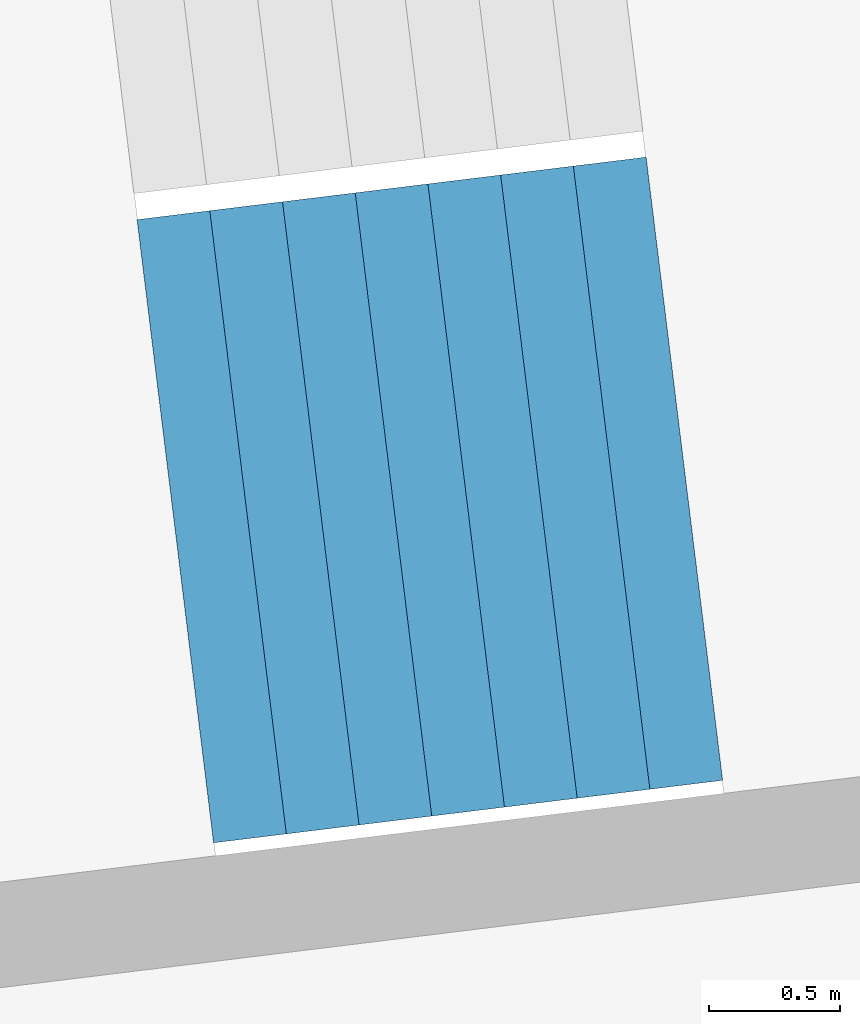
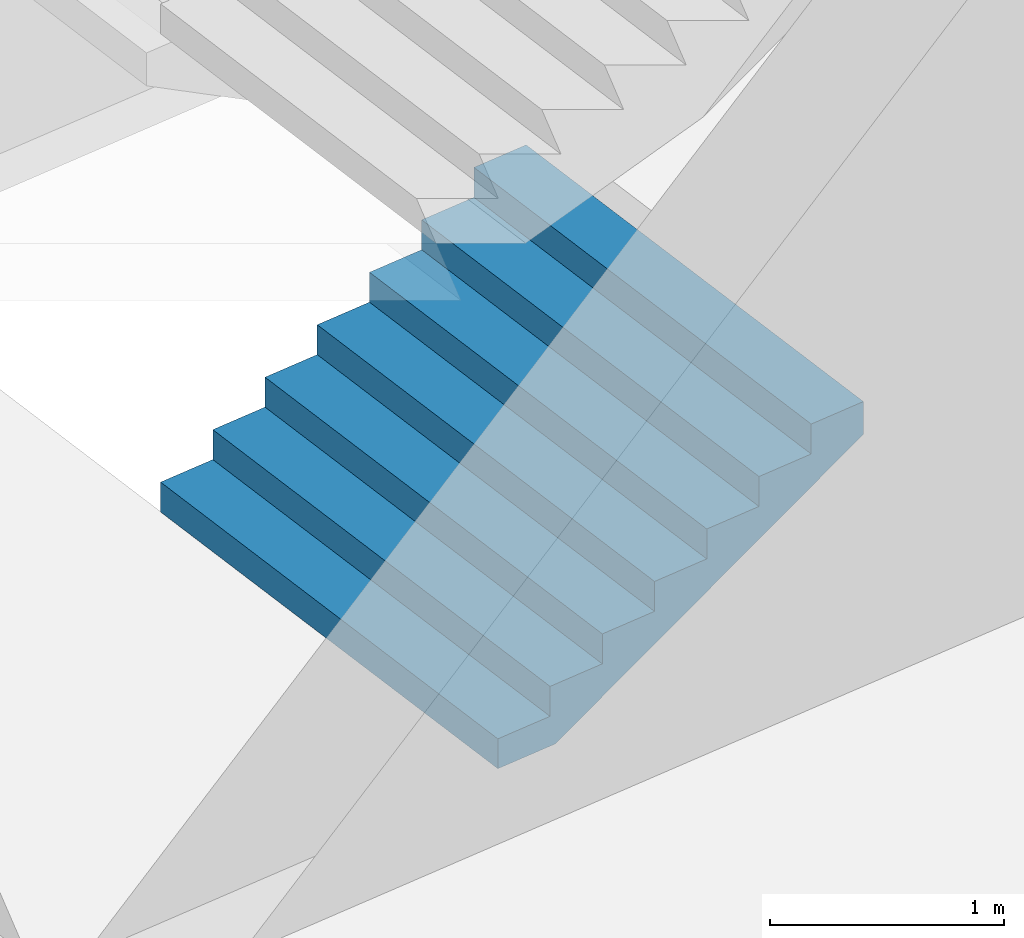
# One storey, part 57 of 73: 1 stair flight, 1 element without a shape of its own.
"""IFC4 building model written with IfcOpenShell, lengths in metres."""

from ifc_helpers import new_model, si_unit, direction, frame, origin, place, context, subcontext, project, spatial, triangles, material, type_object, element, aggregate, save


model = new_model("IFC4")

# Units and contexts
model_context = context("Model", 3, precision=1e-05, world=origin(), true_north=direction((0.0, 1.0)))
body_context = subcontext(model_context, "Body", "Model", "MODEL_VIEW")
ifc_project = project(units=[si_unit("LENGTHUNIT", "METRE"), si_unit("AREAUNIT", "SQUARE_METRE"), si_unit("VOLUMEUNIT", "CUBIC_METRE"), si_unit("PLANEANGLEUNIT", "RADIAN"), si_unit("MASSUNIT", "GRAM", prefix="KILO")], contexts=[model_context])

# Site, building, storey
site_placement = place(None, origin())
site = spatial("IfcSite", under=ifc_project, at=site_placement, CompositionType="ELEMENT")
building_placement = place(site_placement, origin())
building = spatial("IfcBuilding", under=site, at=building_placement, Name="Lantaw Convention Tower", CompositionType="ELEMENT")
storey_placement = place(building_placement, frame((0.0, 0.0, 27.0)))
storey = spatial("IfcBuildingStorey", under=building, at=storey_placement, Name="L04", CompositionType="ELEMENT", Elevation=27.0)

# Stair, stair flight
ifc_material = material(Name="Concrete C35/45", Category="concrete")
stair_type = type_object("IfcStairType", Name="Exit stair 2400 riser 156.25 in 4 flights", PredefinedType="HALF_TURN_STAIR", material=ifc_material)
stair_placement = place(storey_placement, origin())
stair = element("IfcStair", 1, at=stair_placement, inside=storey, type_object=stair_type, Name="Podium exit stair P1 L04", PredefinedType="HALF_TURN_STAIR")
stair_flight_type = type_object("IfcStairFlightType", Name="Stair flight 2400 riser 156.25", PredefinedType="STRAIGHT", material=ifc_material)
stair_flight_placement = place(storey_placement, frame((38.2763671875, 3.4404296875, 0.0), z_axis=(0.0, 0.0, 1.0), x_axis=(0.992546151641, 0.121869343405, 0.0)))
stair_flight = element("IfcStairFlight", 2, at=stair_flight_placement, type_object=stair_flight_type, Name="P1 flight 1", NumberOfRisers=8, NumberOfTreads=7, PredefinedType="STRAIGHT", RiserHeight=0.15625, TreadLength=0.28, context=body_context, shape_type="Tessellation", body=[
    triangles([(0.0, 1.199951171875, 0.0), (0.0, 1.199951171875, 0.15625), (0.28, 1.199951171875, 0.0), (0.28, 1.199951171875, 0.15625), (0.28, 1.199951171875, 0.3125), (0.3076200632058044, 1.199951171875, 0.0), (0.3076200632058044, 1.199951171875, 0.3125), (0.56, 1.199951171875, 0.14083701830033238), (0.56, 1.199951171875, 0.3125), (0.56, 1.199951171875, 0.46875), (0.8400000000000001, 1.199951171875, 0.29708701830033235), (0.8400000000000001, 1.199951171875, 0.46875), (0.8400000000000001, 1.199951171875, 0.625), (1.12, 1.199951171875, 0.45333701830033235), (1.12, 1.199951171875, 0.625), (1.12, 1.199951171875, 0.78125), (1.4000000000000001, 1.199951171875, 0.6095870183003324), (1.4000000000000001, 1.199951171875, 0.78125), (1.4000000000000001, 1.199951171875, 0.9375), (1.6800000000000002, 1.199951171875, 0.7658370183003324), (1.6800000000000002, 1.199951171875, 0.9375), (1.6800000000000002, 1.199951171875, 1.09375), (1.9600000000000002, 1.199951171875, 0.9220870183003324), (1.9600000000000002, 1.199951171875, 1.09375), (0.0, -1.199951171875, 0.0), (0.0, -1.199951171875, 0.15625), (0.28, -1.199951171875, 0.0), (0.28, -1.199951171875, 0.15625), (0.28, -1.199951171875, 0.3125), (0.3076200632058044, -1.199951171875, 0.0), (0.3076200632058044, -1.199951171875, 0.3125), (0.56, -1.199951171875, 0.14083701830033238), (0.56, -1.199951171875, 0.3125), (0.56, -1.199951171875, 0.46875), (0.8400000000000001, -1.199951171875, 0.29708701830033235), (0.8400000000000001, -1.199951171875, 0.46875), (0.8400000000000001, -1.199951171875, 0.625), (1.12, -1.199951171875, 0.45333701830033235), (1.12, -1.199951171875, 0.625), (1.12, -1.199951171875, 0.78125), (1.4000000000000001, -1.199951171875, 0.6095870183003324), (1.4000000000000001, -1.199951171875, 0.78125), (1.4000000000000001, -1.199951171875, 0.9375), (1.6800000000000002, -1.199951171875, 0.7658370183003324), (1.6800000000000002, -1.199951171875, 0.9375), (1.6800000000000002, -1.199951171875, 1.09375), (1.9600000000000002, -1.199951171875, 0.9220870183003324), (1.9600000000000002, -1.199951171875, 1.09375), (0.0, 0.239990234375, 0.15625), (0.0, 0.239990234375, 0.0), (0.0, 0.1919921875, 0.15625), (0.0, 0.1919921875, 0.0), (0.0, 0.143994140625, 0.15625), (0.0, 0.143994140625, 0.0), (0.0, 0.09599609375, 0.15625), (0.0, 0.09599609375, 0.0), (0.0, 0.047998046875, 0.15625), (0.0, 0.047998046875, 0.0), (0.0, 0.0, 0.15625), (0.0, 0.0, 0.0), (0.0, -0.047998046875, 0.15625), (0.0, -0.047998046875, 0.0), (0.0, -0.09599609375, 0.15625), (0.0, -0.09599609375, 0.0), (0.0, -0.143994140625, 0.15625), (0.0, -0.143994140625, 0.0), (0.0, -0.1919921875, 0.15625), (0.0, -0.1919921875, 0.0), (0.0, -0.239990234375, 0.15625), (0.0, -0.239990234375, 0.0), (0.28, 0.239990234375, 0.3125), (0.28, 0.239990234375, 0.15625), (0.28, 0.1919921875, 0.3125), (0.28, 0.1919921875, 0.15625), (0.28, 0.143994140625, 0.3125), (0.28, 0.143994140625, 0.15625), (0.28, 0.09599609375, 0.3125), (0.28, 0.09599609375, 0.15625), (0.28, 0.047998046875, 0.3125), (0.28, 0.047998046875, 0.15625), (0.28, 0.0, 0.3125), (0.28, 0.0, 0.15625), (0.28, -0.047998046875, 0.3125), (0.28, -0.047998046875, 0.15625), (0.28, -0.09599609375, 0.3125), (0.28, -0.09599609375, 0.15625), (0.28, -0.143994140625, 0.3125), (0.28, -0.143994140625, 0.15625), (0.28, -0.1919921875, 0.3125), (0.28, -0.1919921875, 0.15625), (0.28, -0.239990234375, 0.3125), (0.28, -0.239990234375, 0.15625), (0.56, 0.239990234375, 0.46875), (0.56, 0.239990234375, 0.3125), (0.56, 0.1919921875, 0.46875), (0.56, 0.1919921875, 0.3125), (0.56, 0.143994140625, 0.46875), (0.56, 0.143994140625, 0.3125), (0.56, 0.09599609375, 0.46875), (0.56, 0.09599609375, 0.3125), (0.56, 0.047998046875, 0.46875), (0.56, 0.047998046875, 0.3125), (0.56, 0.0, 0.46875), (0.56, 0.0, 0.3125), (0.56, -0.047998046875, 0.46875), (0.56, -0.047998046875, 0.3125), (0.56, -0.09599609375, 0.46875), (0.56, -0.09599609375, 0.3125), (0.56, -0.143994140625, 0.46875), (0.56, -0.143994140625, 0.3125), (0.56, -0.1919921875, 0.46875), (0.56, -0.1919921875, 0.3125), (0.56, -0.239990234375, 0.46875), (0.56, -0.239990234375, 0.3125), (0.8400000000000001, 0.239990234375, 0.625), (0.8400000000000001, 0.239990234375, 0.46875), (0.8400000000000001, 0.1919921875, 0.625), (0.8400000000000001, 0.1919921875, 0.46875), (0.8400000000000001, 0.143994140625, 0.625), (0.8400000000000001, 0.143994140625, 0.46875), (0.8400000000000001, 0.09599609375, 0.625), (0.8400000000000001, 0.09599609375, 0.46875), (0.8400000000000001, 0.047998046875, 0.625), (0.8400000000000001, 0.047998046875, 0.46875), (0.8400000000000001, 0.0, 0.625), (0.8400000000000001, 0.0, 0.46875), (0.8400000000000001, -0.047998046875, 0.625), (0.8400000000000001, -0.047998046875, 0.46875), (0.8400000000000001, -0.09599609375, 0.625), (0.8400000000000001, -0.09599609375, 0.46875), (0.8400000000000001, -0.143994140625, 0.625), (0.8400000000000001, -0.143994140625, 0.46875), (0.8400000000000001, -0.1919921875, 0.625), (0.8400000000000001, -0.1919921875, 0.46875), (0.8400000000000001, -0.239990234375, 0.625), (0.8400000000000001, -0.239990234375, 0.46875), (1.12, 0.239990234375, 0.78125), (1.12, 0.239990234375, 0.625), (1.12, 0.1919921875, 0.78125), (1.12, 0.1919921875, 0.625), (1.12, 0.143994140625, 0.78125), (1.12, 0.143994140625, 0.625), (1.12, 0.09599609375, 0.78125), (1.12, 0.09599609375, 0.625), (1.12, 0.047998046875, 0.78125), (1.12, 0.047998046875, 0.625), (1.12, 0.0, 0.78125), (1.12, 0.0, 0.625), (1.12, -0.047998046875, 0.78125), (1.12, -0.047998046875, 0.625), (1.12, -0.09599609375, 0.78125), (1.12, -0.09599609375, 0.625), (1.12, -0.143994140625, 0.78125), (1.12, -0.143994140625, 0.625), (1.12, -0.1919921875, 0.78125), (1.12, -0.1919921875, 0.625), (1.12, -0.239990234375, 0.78125), (1.12, -0.239990234375, 0.625), (1.4000000000000001, 0.239990234375, 0.9375), (1.4000000000000001, 0.239990234375, 0.78125), (1.4000000000000001, 0.1919921875, 0.9375), (1.4000000000000001, 0.1919921875, 0.78125), (1.4000000000000001, 0.143994140625, 0.9375), (1.4000000000000001, 0.143994140625, 0.78125), (1.4000000000000001, 0.09599609375, 0.9375), (1.4000000000000001, 0.09599609375, 0.78125), (1.4000000000000001, 0.047998046875, 0.9375), (1.4000000000000001, 0.047998046875, 0.78125), (1.4000000000000001, 0.0, 0.9375), (1.4000000000000001, 0.0, 0.78125), (1.4000000000000001, -0.047998046875, 0.9375), (1.4000000000000001, -0.047998046875, 0.78125), (1.4000000000000001, -0.09599609375, 0.9375), (1.4000000000000001, -0.09599609375, 0.78125), (1.4000000000000001, -0.143994140625, 0.9375), (1.4000000000000001, -0.143994140625, 0.78125), (1.4000000000000001, -0.1919921875, 0.9375), (1.4000000000000001, -0.1919921875, 0.78125), (1.4000000000000001, -0.239990234375, 0.9375), (1.4000000000000001, -0.239990234375, 0.78125), (1.6800000000000002, 0.239990234375, 1.09375), (1.6800000000000002, 0.239990234375, 0.9375), (1.6800000000000002, 0.1919921875, 1.09375), (1.6800000000000002, 0.1919921875, 0.9375), (1.6800000000000002, 0.143994140625, 1.09375), (1.6800000000000002, 0.143994140625, 0.9375), (1.6800000000000002, 0.09599609375, 1.09375), (1.6800000000000002, 0.09599609375, 0.9375), (1.6800000000000002, 0.047998046875, 1.09375), (1.6800000000000002, 0.047998046875, 0.9375), (1.6800000000000002, 0.0, 1.09375), (1.6800000000000002, 0.0, 0.9375), (1.6800000000000002, -0.047998046875, 1.09375), (1.6800000000000002, -0.047998046875, 0.9375), (1.6800000000000002, -0.09599609375, 1.09375), (1.6800000000000002, -0.09599609375, 0.9375), (1.6800000000000002, -0.143994140625, 1.09375), (1.6800000000000002, -0.143994140625, 0.9375), (1.6800000000000002, -0.1919921875, 1.09375), (1.6800000000000002, -0.1919921875, 0.9375), (1.6800000000000002, -0.239990234375, 1.09375), (1.6800000000000002, -0.239990234375, 0.9375), (0.3076200632058044, 0.239990234375, 0.3125), (0.3076200632058044, 0.1919921875, 0.3125), (0.3076200632058044, 0.143994140625, 0.3125), (0.3076200632058044, 0.09599609375, 0.3125), (0.3076200632058044, 0.047998046875, 0.3125), (0.3076200632058044, 0.0, 0.3125), (0.3076200632058044, -0.047998046875, 0.3125), (0.3076200632058044, -0.09599609375, 0.3125), (0.3076200632058044, -0.143994140625, 0.3125), (0.3076200632058044, -0.1919921875, 0.3125), (0.3076200632058044, -0.239990234375, 0.3125), (1.9600000000000002, 0.239990234375, 1.09375), (1.9600000000000002, 0.1919921875, 1.09375), (1.9600000000000002, 0.143994140625, 1.09375), (1.9600000000000002, 0.09599609375, 1.09375), (1.9600000000000002, 0.047998046875, 1.09375), (1.9600000000000002, 0.0, 1.09375), (1.9600000000000002, -0.047998046875, 1.09375), (1.9600000000000002, -0.09599609375, 1.09375), (1.9600000000000002, -0.143994140625, 1.09375), (1.9600000000000002, -0.1919921875, 1.09375), (1.9600000000000002, -0.239990234375, 1.09375), (1.9600000000000002, 0.239990234375, 0.9220870183003324), (1.9600000000000002, 0.1919921875, 0.9220870183003324), (1.9600000000000002, 0.143994140625, 0.9220870183003324), (1.9600000000000002, 0.09599609375, 0.9220870183003324), (1.9600000000000002, 0.047998046875, 0.9220870183003324), (1.9600000000000002, 0.0, 0.9220870183003324), (1.9600000000000002, -0.047998046875, 0.9220870183003324), (1.9600000000000002, -0.09599609375, 0.9220870183003324), (1.9600000000000002, -0.143994140625, 0.9220870183003324), (1.9600000000000002, -0.1919921875, 0.9220870183003324), (1.9600000000000002, -0.239990234375, 0.9220870183003324), (1.6800000000000002, 0.239990234375, 0.7658370183003324), (1.6800000000000002, 0.1919921875, 0.7658370183003324), (1.6800000000000002, 0.143994140625, 0.7658370183003324), (1.6800000000000002, 0.09599609375, 0.7658370183003324), (1.6800000000000002, 0.047998046875, 0.7658370183003324), (1.6800000000000002, 0.0, 0.7658370183003324), (1.6800000000000002, -0.047998046875, 0.7658370183003324), (1.6800000000000002, -0.09599609375, 0.7658370183003324), (1.6800000000000002, -0.143994140625, 0.7658370183003324), (1.6800000000000002, -0.1919921875, 0.7658370183003324), (1.6800000000000002, -0.239990234375, 0.7658370183003324), (1.4000000000000001, 0.239990234375, 0.6095870183003324), (1.4000000000000001, 0.1919921875, 0.6095870183003324), (1.4000000000000001, 0.143994140625, 0.6095870183003324), (1.4000000000000001, 0.09599609375, 0.6095870183003324), (1.4000000000000001, 0.047998046875, 0.6095870183003324), (1.4000000000000001, 0.0, 0.6095870183003324), (1.4000000000000001, -0.047998046875, 0.6095870183003324), (1.4000000000000001, -0.09599609375, 0.6095870183003324), (1.4000000000000001, -0.143994140625, 0.6095870183003324), (1.4000000000000001, -0.1919921875, 0.6095870183003324), (1.4000000000000001, -0.239990234375, 0.6095870183003324), (1.12, 0.239990234375, 0.45333701830033235), (1.12, 0.1919921875, 0.45333701830033235), (1.12, 0.143994140625, 0.45333701830033235), (1.12, 0.09599609375, 0.45333701830033235), (1.12, 0.047998046875, 0.45333701830033235), (1.12, 0.0, 0.45333701830033235), (1.12, -0.047998046875, 0.45333701830033235), (1.12, -0.09599609375, 0.45333701830033235), (1.12, -0.143994140625, 0.45333701830033235), (1.12, -0.1919921875, 0.45333701830033235), (1.12, -0.239990234375, 0.45333701830033235), (0.8400000000000001, 0.239990234375, 0.29708701830033235), (0.8400000000000001, 0.1919921875, 0.29708701830033235), (0.8400000000000001, 0.143994140625, 0.29708701830033235), (0.8400000000000001, 0.09599609375, 0.29708701830033235), (0.8400000000000001, 0.047998046875, 0.29708701830033235), (0.8400000000000001, 0.0, 0.29708701830033235), (0.8400000000000001, -0.047998046875, 0.29708701830033235), (0.8400000000000001, -0.09599609375, 0.29708701830033235), (0.8400000000000001, -0.143994140625, 0.29708701830033235), (0.8400000000000001, -0.1919921875, 0.29708701830033235), (0.8400000000000001, -0.239990234375, 0.29708701830033235), (0.56, 0.239990234375, 0.14083701830033238), (0.56, 0.1919921875, 0.14083701830033238), (0.56, 0.143994140625, 0.14083701830033238), (0.56, 0.09599609375, 0.14083701830033238), (0.56, 0.047998046875, 0.14083701830033238), (0.56, 0.0, 0.14083701830033238), (0.56, -0.047998046875, 0.14083701830033238), (0.56, -0.09599609375, 0.14083701830033238), (0.56, -0.143994140625, 0.14083701830033238), (0.56, -0.1919921875, 0.14083701830033238), (0.56, -0.239990234375, 0.14083701830033238), (0.3076200632058044, 0.239990234375, 0.0), (0.3076200632058044, 0.1919921875, 0.0), (0.3076200632058044, 0.143994140625, 0.0), (0.3076200632058044, 0.09599609375, 0.0), (0.3076200632058044, 0.047998046875, 0.0), (0.3076200632058044, 0.0, 0.0), (0.3076200632058044, -0.047998046875, 0.0), (0.3076200632058044, -0.09599609375, 0.0), (0.3076200632058044, -0.143994140625, 0.0), (0.3076200632058044, -0.1919921875, 0.0), (0.3076200632058044, -0.239990234375, 0.0), (0.28, 0.239990234375, 0.0), (0.28, 0.1919921875, 0.0), (0.28, 0.143994140625, 0.0), (0.28, 0.09599609375, 0.0), (0.28, 0.047998046875, 0.0), (0.28, 0.0, 0.0), (0.28, -0.047998046875, 0.0), (0.28, -0.09599609375, 0.0), (0.28, -0.143994140625, 0.0), (0.28, -0.1919921875, 0.0), (0.28, -0.239990234375, 0.0)], [[1, 4, 3], [1, 2, 4], [3, 4, 6], [4, 7, 6], [4, 5, 7], [6, 9, 8], [6, 7, 9], [8, 9, 11], [9, 12, 11], [9, 10, 12], [11, 12, 14], [12, 15, 14], [12, 13, 15], [14, 15, 17], [15, 18, 17], [15, 16, 18], [17, 18, 20], [18, 21, 20], [18, 19, 21], [20, 21, 23], [21, 24, 23], [21, 22, 24], [25, 27, 28], [25, 28, 26], [27, 30, 28], [28, 30, 31], [28, 31, 29], [30, 32, 33], [30, 33, 31], [32, 35, 33], [33, 35, 36], [33, 36, 34], [35, 38, 36], [36, 38, 39], [36, 39, 37], [38, 41, 39], [39, 41, 42], [39, 42, 40], [41, 44, 42], [42, 44, 45], [42, 45, 43], [44, 47, 45], [45, 47, 48], [45, 48, 46], [1, 49, 2], [1, 50, 49], [50, 51, 49], [50, 52, 51], [52, 53, 51], [52, 54, 53], [54, 55, 53], [54, 56, 55], [56, 57, 55], [56, 58, 57], [58, 59, 57], [58, 60, 59], [60, 61, 59], [60, 62, 61], [62, 63, 61], [62, 64, 63], [64, 65, 63], [64, 66, 65], [66, 67, 65], [66, 68, 67], [68, 69, 67], [68, 70, 69], [70, 26, 69], [70, 25, 26], [4, 71, 5], [4, 72, 71], [72, 73, 71], [72, 74, 73], [74, 75, 73], [74, 76, 75], [76, 77, 75], [76, 78, 77], [78, 79, 77], [78, 80, 79], [80, 81, 79], [80, 82, 81], [82, 83, 81], [82, 84, 83], [84, 85, 83], [84, 86, 85], [86, 87, 85], [86, 88, 87], [88, 89, 87], [88, 90, 89], [90, 91, 89], [90, 92, 91], [92, 29, 91], [92, 28, 29], [9, 93, 10], [9, 94, 93], [94, 95, 93], [94, 96, 95], [96, 97, 95], [96, 98, 97], [98, 99, 97], [98, 100, 99], [100, 101, 99], [100, 102, 101], [102, 103, 101], [102, 104, 103], [104, 105, 103], [104, 106, 105], [106, 107, 105], [106, 108, 107], [108, 109, 107], [108, 110, 109], [110, 111, 109], [110, 112, 111], [112, 113, 111], [112, 114, 113], [114, 34, 113], [114, 33, 34], [12, 115, 13], [12, 116, 115], [116, 117, 115], [116, 118, 117], [118, 119, 117], [118, 120, 119], [120, 121, 119], [120, 122, 121], [122, 123, 121], [122, 124, 123], [124, 125, 123], [124, 126, 125], [126, 127, 125], [126, 128, 127], [128, 129, 127], [128, 130, 129], [130, 131, 129], [130, 132, 131], [132, 133, 131], [132, 134, 133], [134, 135, 133], [134, 136, 135], [136, 37, 135], [136, 36, 37], [15, 137, 16], [15, 138, 137], [138, 139, 137], [138, 140, 139], [140, 141, 139], [140, 142, 141], [142, 143, 141], [142, 144, 143], [144, 145, 143], [144, 146, 145], [146, 147, 145], [146, 148, 147], [148, 149, 147], [148, 150, 149], [150, 151, 149], [150, 152, 151], [152, 153, 151], [152, 154, 153], [154, 155, 153], [154, 156, 155], [156, 157, 155], [156, 158, 157], [158, 40, 157], [158, 39, 40], [18, 159, 19], [18, 160, 159], [160, 161, 159], [160, 162, 161], [162, 163, 161], [162, 164, 163], [164, 165, 163], [164, 166, 165], [166, 167, 165], [166, 168, 167], [168, 169, 167], [168, 170, 169], [170, 171, 169], [170, 172, 171], [172, 173, 171], [172, 174, 173], [174, 175, 173], [174, 176, 175], [176, 177, 175], [176, 178, 177], [178, 179, 177], [178, 180, 179], [180, 43, 179], [180, 42, 43], [21, 181, 22], [21, 182, 181], [182, 183, 181], [182, 184, 183], [184, 185, 183], [184, 186, 185], [186, 187, 185], [186, 188, 187], [188, 189, 187], [188, 190, 189], [190, 191, 189], [190, 192, 191], [192, 193, 191], [192, 194, 193], [194, 195, 193], [194, 196, 195], [196, 197, 195], [196, 198, 197], [198, 199, 197], [198, 200, 199], [200, 201, 199], [200, 202, 201], [202, 46, 201], [202, 45, 46], [2, 72, 4], [2, 49, 72], [49, 74, 72], [49, 51, 74], [51, 76, 74], [51, 53, 76], [53, 78, 76], [53, 55, 78], [55, 80, 78], [55, 57, 80], [57, 82, 80], [57, 59, 82], [59, 84, 82], [59, 61, 84], [61, 86, 84], [61, 63, 86], [63, 88, 86], [63, 65, 88], [65, 90, 88], [65, 67, 90], [67, 92, 90], [67, 69, 92], [69, 28, 92], [69, 26, 28], [5, 203, 7], [5, 71, 203], [71, 204, 203], [71, 73, 204], [73, 205, 204], [73, 75, 205], [75, 206, 205], [75, 77, 206], [77, 207, 206], [77, 79, 207], [79, 208, 207], [79, 81, 208], [81, 209, 208], [81, 83, 209], [83, 210, 209], [83, 85, 210], [85, 211, 210], [85, 87, 211], [87, 212, 211], [87, 89, 212], [89, 213, 212], [89, 91, 213], [91, 31, 213], [91, 29, 31], [7, 94, 9], [7, 203, 94], [203, 96, 94], [203, 204, 96], [204, 98, 96], [204, 205, 98], [205, 100, 98], [205, 206, 100], [206, 102, 100], [206, 207, 102], [207, 104, 102], [207, 208, 104], [208, 106, 104], [208, 209, 106], [209, 108, 106], [209, 210, 108], [210, 110, 108], [210, 211, 110], [211, 112, 110], [211, 212, 112], [212, 114, 112], [212, 213, 114], [213, 33, 114], [213, 31, 33], [10, 116, 12], [10, 93, 116], [93, 118, 116], [93, 95, 118], [95, 120, 118], [95, 97, 120], [97, 122, 120], [97, 99, 122], [99, 124, 122], [99, 101, 124], [101, 126, 124], [101, 103, 126], [103, 128, 126], [103, 105, 128], [105, 130, 128], [105, 107, 130], [107, 132, 130], [107, 109, 132], [109, 134, 132], [109, 111, 134], [111, 136, 134], [111, 113, 136], [113, 36, 136], [113, 34, 36], [13, 138, 15], [13, 115, 138], [115, 140, 138], [115, 117, 140], [117, 142, 140], [117, 119, 142], [119, 144, 142], [119, 121, 144], [121, 146, 144], [121, 123, 146], [123, 148, 146], [123, 125, 148], [125, 150, 148], [125, 127, 150], [127, 152, 150], [127, 129, 152], [129, 154, 152], [129, 131, 154], [131, 156, 154], [131, 133, 156], [133, 158, 156], [133, 135, 158], [135, 39, 158], [135, 37, 39], [16, 160, 18], [16, 137, 160], [137, 162, 160], [137, 139, 162], [139, 164, 162], [139, 141, 164], [141, 166, 164], [141, 143, 166], [143, 168, 166], [143, 145, 168], [145, 170, 168], [145, 147, 170], [147, 172, 170], [147, 149, 172], [149, 174, 172], [149, 151, 174], [151, 176, 174], [151, 153, 176], [153, 178, 176], [153, 155, 178], [155, 180, 178], [155, 157, 180], [157, 42, 180], [157, 40, 42], [19, 182, 21], [19, 159, 182], [159, 184, 182], [159, 161, 184], [161, 186, 184], [161, 163, 186], [163, 188, 186], [163, 165, 188], [165, 190, 188], [165, 167, 190], [167, 192, 190], [167, 169, 192], [169, 194, 192], [169, 171, 194], [171, 196, 194], [171, 173, 196], [173, 198, 196], [173, 175, 198], [175, 200, 198], [175, 177, 200], [177, 202, 200], [177, 179, 202], [179, 45, 202], [179, 43, 45], [22, 214, 24], [22, 181, 214], [181, 215, 214], [181, 183, 215], [183, 216, 215], [183, 185, 216], [185, 217, 216], [185, 187, 217], [187, 218, 217], [187, 189, 218], [189, 219, 218], [189, 191, 219], [191, 220, 219], [191, 193, 220], [193, 221, 220], [193, 195, 221], [195, 222, 221], [195, 197, 222], [197, 223, 222], [197, 199, 223], [199, 224, 223], [199, 201, 224], [201, 48, 224], [201, 46, 48], [24, 225, 23], [24, 214, 225], [214, 226, 225], [214, 215, 226], [215, 227, 226], [215, 216, 227], [216, 228, 227], [216, 217, 228], [217, 229, 228], [217, 218, 229], [218, 230, 229], [218, 219, 230], [219, 231, 230], [219, 220, 231], [220, 232, 231], [220, 221, 232], [221, 233, 232], [221, 222, 233], [222, 234, 233], [222, 223, 234], [223, 235, 234], [223, 224, 235], [224, 47, 235], [224, 48, 47], [23, 236, 20], [23, 225, 236], [225, 237, 236], [225, 226, 237], [226, 238, 237], [226, 227, 238], [227, 239, 238], [227, 228, 239], [228, 240, 239], [228, 229, 240], [229, 241, 240], [229, 230, 241], [230, 242, 241], [230, 231, 242], [231, 243, 242], [231, 232, 243], [232, 244, 243], [232, 233, 244], [233, 245, 244], [233, 234, 245], [234, 246, 245], [234, 235, 246], [235, 44, 246], [235, 47, 44], [20, 247, 17], [20, 236, 247], [236, 248, 247], [236, 237, 248], [237, 249, 248], [237, 238, 249], [238, 250, 249], [238, 239, 250], [239, 251, 250], [239, 240, 251], [240, 252, 251], [240, 241, 252], [241, 253, 252], [241, 242, 253], [242, 254, 253], [242, 243, 254], [243, 255, 254], [243, 244, 255], [244, 256, 255], [244, 245, 256], [245, 257, 256], [245, 246, 257], [246, 41, 257], [246, 44, 41], [17, 258, 14], [17, 247, 258], [247, 259, 258], [247, 248, 259], [248, 260, 259], [248, 249, 260], [249, 261, 260], [249, 250, 261], [250, 262, 261], [250, 251, 262], [251, 263, 262], [251, 252, 263], [252, 264, 263], [252, 253, 264], [253, 265, 264], [253, 254, 265], [254, 266, 265], [254, 255, 266], [255, 267, 266], [255, 256, 267], [256, 268, 267], [256, 257, 268], [257, 38, 268], [257, 41, 38], [14, 269, 11], [14, 258, 269], [258, 270, 269], [258, 259, 270], [259, 271, 270], [259, 260, 271], [260, 272, 271], [260, 261, 272], [261, 273, 272], [261, 262, 273], [262, 274, 273], [262, 263, 274], [263, 275, 274], [263, 264, 275], [264, 276, 275], [264, 265, 276], [265, 277, 276], [265, 266, 277], [266, 278, 277], [266, 267, 278], [267, 279, 278], [267, 268, 279], [268, 35, 279], [268, 38, 35], [11, 280, 8], [11, 269, 280], [269, 281, 280], [269, 270, 281], [270, 282, 281], [270, 271, 282], [271, 283, 282], [271, 272, 283], [272, 284, 283], [272, 273, 284], [273, 285, 284], [273, 274, 285], [274, 286, 285], [274, 275, 286], [275, 287, 286], [275, 276, 287], [276, 288, 287], [276, 277, 288], [277, 289, 288], [277, 278, 289], [278, 290, 289], [278, 279, 290], [279, 32, 290], [279, 35, 32], [8, 291, 6], [8, 280, 291], [280, 292, 291], [280, 281, 292], [281, 293, 292], [281, 282, 293], [282, 294, 293], [282, 283, 294], [283, 295, 294], [283, 284, 295], [284, 296, 295], [284, 285, 296], [285, 297, 296], [285, 286, 297], [286, 298, 297], [286, 287, 298], [287, 299, 298], [287, 288, 299], [288, 300, 299], [288, 289, 300], [289, 301, 300], [289, 290, 301], [290, 30, 301], [290, 32, 30], [6, 302, 3], [6, 291, 302], [291, 303, 302], [291, 292, 303], [292, 304, 303], [292, 293, 304], [293, 305, 304], [293, 294, 305], [294, 306, 305], [294, 295, 306], [295, 307, 306], [295, 296, 307], [296, 308, 307], [296, 297, 308], [297, 309, 308], [297, 298, 309], [298, 310, 309], [298, 299, 310], [299, 311, 310], [299, 300, 311], [300, 312, 311], [300, 301, 312], [301, 27, 312], [301, 30, 27], [3, 50, 1], [3, 302, 50], [302, 52, 50], [302, 303, 52], [303, 54, 52], [303, 304, 54], [304, 56, 54], [304, 305, 56], [305, 58, 56], [305, 306, 58], [306, 60, 58], [306, 307, 60], [307, 62, 60], [307, 308, 62], [308, 64, 62], [308, 309, 64], [309, 66, 64], [309, 310, 66], [310, 68, 66], [310, 311, 68], [311, 70, 68], [311, 312, 70], [312, 25, 70], [312, 27, 25]], closed=True),
])
aggregate(stair, [stair_flight])

save(model, "model.ifc")
